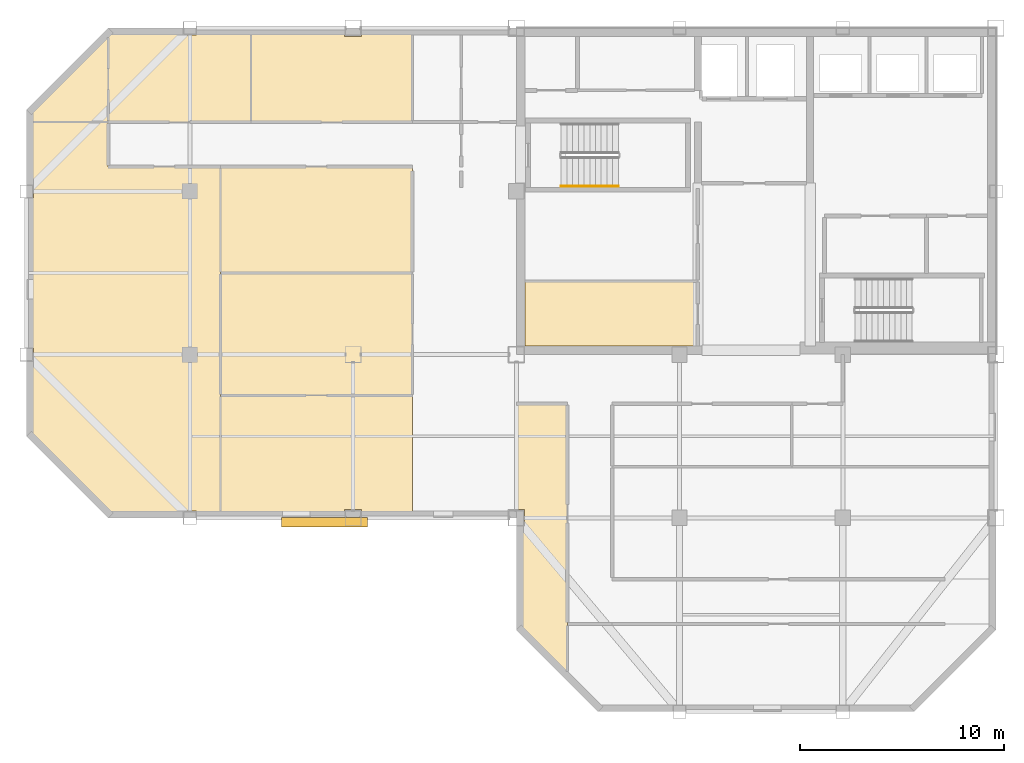
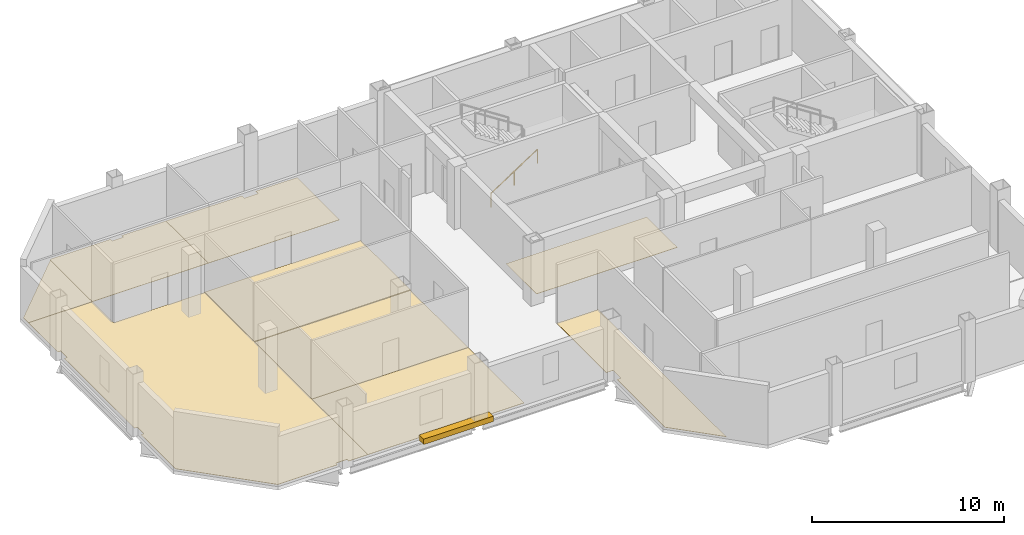
# One storey, part 5 of 7: 9 coverings, 1 railing, 1 shading device.
"""IFC4 building model written with IfcOpenShell, lengths in metres."""

from ifc_helpers import new_model, si_unit, direction, frame, origin, origin_2d, place, context, subcontext, project, spatial, polyline, rectangle, circle, outline, extrude, material, layer, layer_set, type_object, element, save


model = new_model("IFC4")

# Units and contexts
model_context = context("Model", 3, precision=1e-05, world=origin(), true_north=direction((0.0, 1.0)))
body_context = subcontext(model_context, "Body", "Model", "MODEL_VIEW")
ifc_project = project(units=[si_unit("LENGTHUNIT", "METRE"), si_unit("AREAUNIT", "SQUARE_METRE"), si_unit("VOLUMEUNIT", "CUBIC_METRE"), si_unit("PLANEANGLEUNIT", "RADIAN"), si_unit("MASSUNIT", "GRAM", prefix="KILO")], contexts=[model_context])

# Site, building, storey
site_placement = place(None, origin())
site = spatial("IfcSite", under=ifc_project, at=site_placement, CompositionType="ELEMENT")
building_placement = place(site_placement, origin())
building = spatial("IfcBuilding", under=site, at=building_placement, Name="Qianrong Seaharbour Tower", CompositionType="ELEMENT")
storey_placement = place(building_placement, frame((0.0, 0.0, 343.199951171875)))
storey = spatial("IfcBuildingStorey", under=building, at=storey_placement, Name="L83", CompositionType="ELEMENT", Elevation=343.199951171875)

# Coverings
ifc_material_1 = material(Name="Acoustic modular carpet tile flooring")
ifc_layer_1 = layer(ifc_material_1, 0.02001953125)
ifc_layer_set_1 = layer_set([ifc_layer_1], Name="Acoustic modular carpet tile flooring")
covering_type_1 = type_object("IfcCoveringType", Name="COV-FLOOR-CARPET-20", PredefinedType="FLOORING", material=ifc_layer_set_1)
covering_1_placement = place(storey_placement, origin())
element("IfcCovering", 1, at=covering_1_placement, inside=storey, type_object=covering_type_1, Name="L83 Wellness Room Finish Flooring", PredefinedType="FLOORING", context=body_context, shape_type="SweptSolid", body=[
    extrude(outline(polyline([(49.39990234375, 39.60009765625), (49.39990234375, 36.419921875), (40.919921875, 36.419921875), (40.919921875, 39.60009765625), (49.39990234375, 39.60009765625)])), origin(), (0.0, 0.0, 1.0), 0.02001953125),
])
covering_2_placement = place(storey_placement, origin())
element("IfcCovering", 2, at=covering_2_placement, inside=storey, type_object=covering_type_1, Name="L83 Occupational Health Clinic 1 Finish Flooring", PredefinedType="FLOORING", context=body_context, shape_type="SweptSolid", body=[
    extrude(outline(polyline([(16.6650390625, 47.931640625), (20.5, 51.7666015625), (20.5, 47.39990234375), (16.6650390625, 47.39990234375), (16.6650390625, 47.931640625)])), origin(), (0.0, 0.0, 1.0), 0.02001953125),
])
covering_3_placement = place(storey_placement, origin())
element("IfcCovering", 3, at=covering_3_placement, inside=storey, type_object=covering_type_1, Name="L83 Physiotherapy Room 2 Finish Flooring", PredefinedType="FLOORING", context=body_context, shape_type="SweptSolid", body=[
    extrude(outline(polyline([(20.5, 51.7666015625), (20.568359375, 51.8349609375), (24.1650390625, 51.8349609375), (24.1650390625, 51.6650390625), (24.8349609375, 51.6650390625), (24.8349609375, 51.8349609375), (27.5, 51.8349609375), (27.5, 47.39990234375), (20.5, 47.39990234375), (20.5, 51.7666015625)])), origin(), (0.0, 0.0, 1.0), 0.02001953125),
])
covering_4_placement = place(storey_placement, origin())
element("IfcCovering", 4, at=covering_4_placement, inside=storey, type_object=covering_type_1, Name="L83 First Aid Nursing Room 3 Finish Flooring", PredefinedType="FLOORING", context=body_context, shape_type="SweptSolid", body=[
    extrude(outline(polyline([(27.5, 51.8349609375), (32.090087890625, 51.8349609375), (32.090087890625, 51.590087890625), (32.909912109375, 51.590087890625), (32.909912109375, 51.8349609375), (35.39990234375, 51.8349609375), (35.39990234375, 47.39990234375), (27.5, 47.39990234375), (27.5, 51.8349609375)])), origin(), (0.0, 0.0, 1.0), 0.02001953125),
])
covering_5_placement = place(storey_placement, origin())
element("IfcCovering", 5, at=covering_5_placement, inside=storey, type_object=covering_type_1, Name="L83 Wellness Exercise Hall Finish Flooring", PredefinedType="FLOORING", context=body_context, shape_type="SweptSolid", body=[
    extrude(outline(polyline([(24.8349609375, 28.1650390625), (24.8349609375, 28.3349609375), (24.1650390625, 28.3349609375), (24.1650390625, 28.1650390625), (20.568359375, 28.1650390625), (16.6650390625, 32.068359375), (16.6650390625, 35.6650390625), (16.8349609375, 35.6650390625), (16.8349609375, 36.3349609375), (16.6650390625, 36.3349609375), (16.6650390625, 43.6650390625), (16.8349609375, 43.6650390625), (16.8349609375, 44.3349609375), (16.6650390625, 44.3349609375), (16.6650390625, 47.39990234375), (20.5, 47.39990234375), (20.5, 45.199951171875), (26.0, 45.199951171875), (26.0, 28.1650390625), (24.8349609375, 28.1650390625)])), origin(), (0.0, 0.0, 1.0), 0.02001953125),
])
covering_6_placement = place(storey_placement, origin())
element("IfcCovering", 6, at=covering_6_placement, inside=storey, type_object=covering_type_1, Name="L83 Medical Examination Room 1 Finish Flooring", PredefinedType="FLOORING", context=body_context, shape_type="SweptSolid", body=[
    extrude(outline(polyline([(35.39990234375, 28.1650390625), (32.909912109375, 28.1650390625), (32.909912109375, 28.409912109375), (32.090087890625, 28.409912109375), (32.090087890625, 28.1650390625), (26.0, 28.1650390625), (26.0, 34.0), (35.39990234375, 34.0), (35.39990234375, 28.1650390625)])), origin(), (0.0, 0.0, 1.0), 0.02001953125),
])
covering_7_placement = place(storey_placement, origin())
element("IfcCovering", 7, at=covering_7_placement, inside=storey, type_object=covering_type_1, Name="L83 Wet Pantry 2 Finish Flooring", PredefinedType="FLOORING", context=body_context, shape_type="SweptSolid", body=[
    extrude(outline(polyline([(35.39990234375, 40.0), (35.39990234375, 34.0), (26.0, 34.0), (26.0, 40.0), (35.39990234375, 40.0)])), origin(), (0.0, 0.0, 1.0), 0.02001953125),
])
covering_8_placement = place(storey_placement, origin())
element("IfcCovering", 8, at=covering_8_placement, inside=storey, type_object=covering_type_1, Name="L83 Clinical Dispensary Store Finish Flooring", PredefinedType="FLOORING", context=body_context, shape_type="SweptSolid", body=[
    extrude(outline(polyline([(43.0, 20.2333984375), (40.6650390625, 22.568359375), (40.6650390625, 27.590087890625), (40.909912109375, 27.590087890625), (40.909912109375, 28.409912109375), (40.5, 28.409912109375), (40.5, 33.60009765625), (43.0, 33.60009765625), (43.0, 20.2333984375)])), origin(), (0.0, 0.0, 1.0), 0.02001953125),
])
ifc_material_2 = material(Name="Calcium-sulphate raised access floor tile")
ifc_layer_2 = layer(ifc_material_2, 0.044921875)
ifc_layer_set_2 = layer_set([ifc_layer_2], Name="Calcium-sulphate raised access floor tile")
covering_type_2 = type_object("IfcCoveringType", Name="COV-FLOOR-RAISED-45", PredefinedType="FLOORING", material=ifc_layer_set_2)
covering_9_placement = place(storey_placement, origin())
element("IfcCovering", 9, at=covering_9_placement, inside=storey, type_object=covering_type_2, Name="L83 Records Office 3 Finish Flooring", PredefinedType="FLOORING", context=body_context, shape_type="SweptSolid", body=[
    extrude(outline(polyline([(35.39990234375, 45.199951171875), (35.39990234375, 40.0), (26.0, 40.0), (26.0, 45.199951171875), (35.39990234375, 45.199951171875)])), origin(), (0.0, 0.0, 1.0), 0.045166015625),
])

# Railing
ifc_material_3 = material(Name="Stainless steel SUS316L continuous handrail", Category="steel")
railing_type = type_object("IfcRailingType", Name="RAIL-STAIR-HANDRAIL-900", PredefinedType="HANDRAIL", material=ifc_material_3)
railing_placement = place(storey_placement, frame((42.699951171875, 44.25, 0.181884765625)))
element("IfcRailing", 10, at=railing_placement, inside=storey, type_object=railing_type, Name="L83 ST-1 stair handrail 1", PredefinedType="HANDRAIL", context=body_context, shape_type="SweptSolid", body=[
    extrude(circle(Radius=0.02392578125, at=origin_2d()), frame((0.0, 0.0, 0.8759765625), z_axis=(0.838705829183, 0.0, 0.544584733623), x_axis=(0.0, 1.0, 0.0)), (0.0, 0.0, 1.0), 3.338623046875),
    extrude(circle(Radius=0.02099609375, at=origin_2d()), origin(), (0.0, 0.0, 1.0), 0.851806640625),
    extrude(circle(Radius=0.02099609375, at=origin_2d()), frame((1.39990234375, 0.0, 0.9091796875)), (0.0, 0.0, 1.0), 0.851806640625),
    extrude(circle(Radius=0.02099609375, at=origin_2d()), frame((2.800048828125, 0.0, 1.818115234375)), (0.0, 0.0, 1.0), 0.851806640625),
])

# Shading device
ifc_material_4 = material(Name="White architectural precast concrete C45/55", Category="concrete")
shading_device_type = type_object("IfcShadingDeviceType", Name="SHD-SUNSHADE-WHITE-320", PredefinedType="AWNING", material=ifc_material_4)
shading_device_placement = place(storey_placement, frame((31.10009765625, 27.780029296875, -0.02001953125), z_axis=(0.0, 0.0, 1.0), x_axis=(1.0, 0.0, 0.0)))
element("IfcShadingDevice", 11, at=shading_device_placement, inside=storey, type_object=shading_device_type, Name="L83 Climbing White Precast Ribbon Canopy Fin", PredefinedType="AWNING", context=body_context, shape_type="SweptSolid", body=[
    extrude(rectangle(XDim=4.199951171875, YDim=0.4599609375, at=origin_2d()), origin(), (0.0, 0.0, 1.0), 0.340087890625),
])

save(model, "model.ifc")
